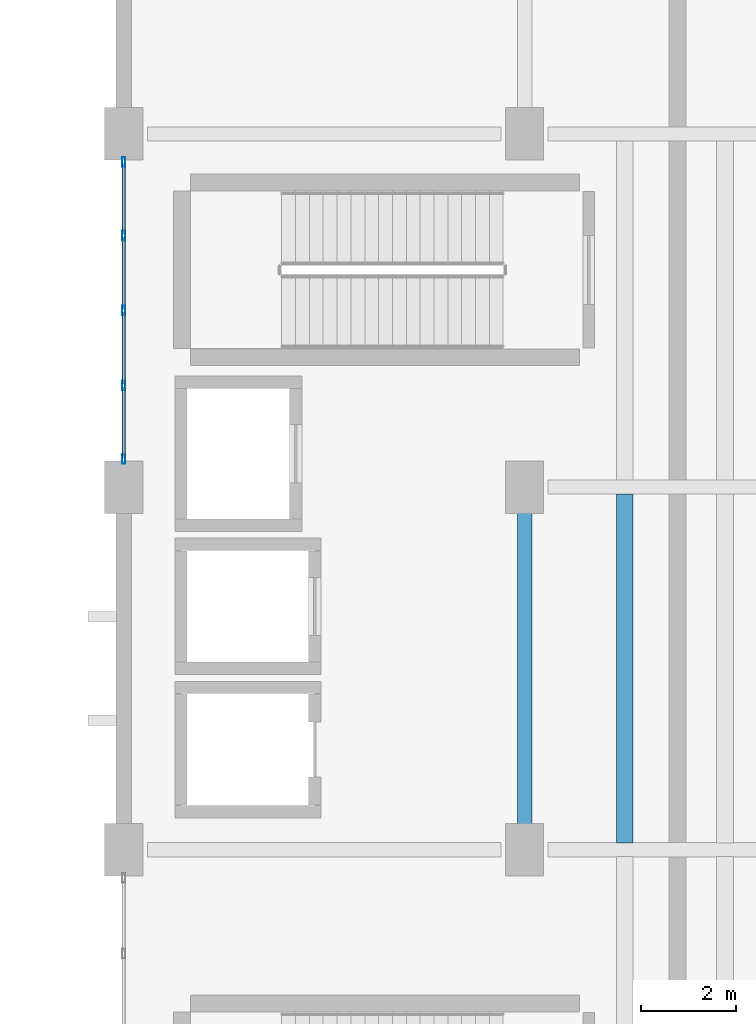
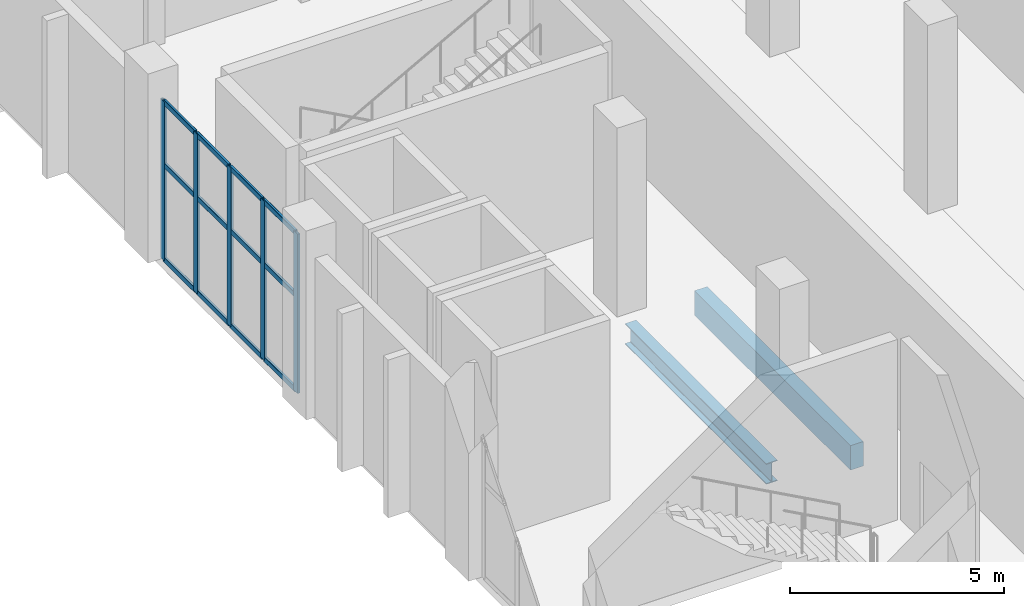
# One storey, part 43 of 95: 17 members, 2 beams, 1 element without a shape of its own.
"""IFC4 building model written with IfcOpenShell, lengths in metres."""

import ifcopenshell
import ifcopenshell.guid

model = None  # the IFC model being written
_history = None  # IfcOwnerHistory: only IFC2X3 demands one
_inside = {}  # id of a spatial element -> (the spatial element, [elements in it])
_under = {}  # id of a project, library or spatial element -> (it, [spatial elements below it])
_declared = {}  # id of a project -> (the project, [libraries it declares])
_typed = {}  # id of a type object -> (the type object, [elements of that type])
_made_of = {}  # id of a material, layer set ... -> (it, [elements and type objects made of it])


def new_model(schema):
    """Start an empty IFC model of exactly this schema.

    Asked for "IFC4X3", IfcOpenShell would pick the latest addendum, in which some entities
    have other attributes; the version numbers below select the first issue.
    IFC2X3 requires an IfcOwnerHistory on every rooted entity: one is made here for all.
    """
    global model, _history
    if schema == "IFC4X3":
        model = ifcopenshell.file(schema_version=(4, 3, 0, 0))
    else:
        model = ifcopenshell.file(schema=schema)
    _inside.clear()
    _under.clear()
    _declared.clear()
    _typed.clear()
    _made_of.clear()
    _history = None
    if model.schema == "IFC2X3":
        org = make("IfcOrganization", Name="unknown")
        user = make(
            "IfcPersonAndOrganization",
            ThePerson=make("IfcPerson", FamilyName="unknown"),
            TheOrganization=org,
        )
        app = make(
            "IfcApplication",
            ApplicationDeveloper=org,
            Version="unknown",
            ApplicationFullName="unknown",
            ApplicationIdentifier="unknown",
        )
        _history = make(
            "IfcOwnerHistory",
            OwningUser=user,
            OwningApplication=app,
            ChangeAction="ADDED",
            CreationDate=0,
        )
    return model


def make(cls, **values):
    """One entity of the class cls with the attributes given. An attribute that is None is left unset."""
    return model.create_entity(
        cls, **{name: value for name, value in values.items() if value is not None}
    )


def rooted(cls, **values):
    """An entity with a GlobalId (a new one), such as an element, a storey or a relation."""
    return make(cls, GlobalId=ifcopenshell.guid.new(), OwnerHistory=_history, **values)


def si_unit(unit_type, name, prefix=None):
    """IfcSIUnit, for example si_unit("LENGTHUNIT", "METRE", prefix="MILLI")."""
    return make("IfcSIUnit", UnitType=unit_type, Prefix=prefix, Name=name)


def assignment(units):
    """IfcUnitAssignment: the units of a project."""
    return None if units is None else make("IfcUnitAssignment", Units=units)


def point(xyz):
    """IfcCartesianPoint."""
    return None if xyz is None else make("IfcCartesianPoint", Coordinates=xyz)


def direction(xyz):
    """IfcDirection."""
    return None if xyz is None else make("IfcDirection", DirectionRatios=xyz)


def frame(location, z_axis=None, x_axis=None):
    """IfcAxis2Placement3D, a coordinate frame: its origin and axes. An axis left out is left unset."""
    return make(
        "IfcAxis2Placement3D",
        Location=point(location),
        Axis=direction(z_axis),
        RefDirection=direction(x_axis),
    )


def frame_2d(location, x_axis=None):
    """IfcAxis2Placement2D, a coordinate frame in the plane: its origin and x axis."""
    return make(
        "IfcAxis2Placement2D", Location=point(location), RefDirection=direction(x_axis)
    )


def origin():
    """The frame at (0, 0, 0) with its axes left unset."""
    return frame((0.0, 0.0, 0.0))


def origin_2d():
    """The frame at (0, 0) in the plane with its x axis left unset."""
    return frame_2d((0.0, 0.0))


def place(relative_to, where):
    """IfcLocalPlacement: puts the frame where relative to a parent placement (None: the world)."""
    return make(
        "IfcLocalPlacement", PlacementRelTo=relative_to, RelativePlacement=where
    )


def context(
    kind, dimensions, precision=None, world=None, true_north=None, identifier=None
):
    """IfcGeometricRepresentationContext, for example the 3D "Model" context."""
    return make(
        "IfcGeometricRepresentationContext",
        ContextIdentifier=identifier,
        ContextType=kind,
        CoordinateSpaceDimension=dimensions,
        Precision=precision,
        WorldCoordinateSystem=world,
        TrueNorth=true_north,
    )


def subcontext(parent, identifier, kind, view, scale=None):
    """IfcGeometricRepresentationSubContext, for example "Body" below "Model"."""
    return make(
        "IfcGeometricRepresentationSubContext",
        ContextIdentifier=identifier,
        ContextType=kind,
        ParentContext=parent,
        TargetScale=scale,
        TargetView=view,
    )


def project(units=None, contexts=None):
    """IfcProject with its units and contexts."""
    return rooted(
        "IfcProject",
        Name="project",
        RepresentationContexts=contexts,
        UnitsInContext=assignment(units),
    )


def spatial(cls, under=None, at=None, **own):
    """A site, building, storey or space (cls), placed at a placement, below another one or the project."""
    s = rooted(cls, ObjectPlacement=at, **own)
    if under is not None:
        _under.setdefault(under.id(), (under, []))[1].append(s)
    return s


def profile(cls, at=None, kind="AREA", **sizes):
    """A parametric profile (cls). Its sizes go by their IFC names, for example OverallWidth=200.0."""
    return make(cls, ProfileType=kind, Position=at, **sizes)


def rectangle(**sizes):
    """IfcRectangleProfileDef."""
    return profile("IfcRectangleProfileDef", **sizes)


def hollow_rectangle(**sizes):
    """IfcRectangleHollowProfileDef."""
    return profile("IfcRectangleHollowProfileDef", **sizes)


def i_section(**sizes):
    """IfcIShapeProfileDef."""
    return profile("IfcIShapeProfileDef", **sizes)


def extrude(swept, where, along, depth):
    """IfcExtrudedAreaSolid: the profile swept, set in the frame where, extruded along a direction by depth."""
    return make(
        "IfcExtrudedAreaSolid",
        SweptArea=swept,
        Position=where,
        ExtrudedDirection=direction(along),
        Depth=depth,
    )


def shape(context_of_items, identifier, shape_type, items):
    """IfcShapeRepresentation: the items that make up one representation, for example the "Body"."""
    return make(
        "IfcShapeRepresentation",
        ContextOfItems=context_of_items,
        RepresentationIdentifier=identifier,
        RepresentationType=shape_type,
        Items=items,
    )


def material(Name=None, Category=None):
    """IfcMaterial."""
    return make("IfcMaterial", Name=Name, Category=Category)


def material_profile(
    of_material, cross_section, Name=None, Category=None, Priority=None
):
    """IfcMaterialProfile: a cross section and its material."""
    return make(
        "IfcMaterialProfile",
        Name=Name,
        Material=of_material,
        Profile=cross_section,
        Priority=Priority,
        Category=Category,
    )


def profile_set(profiles, Name=None, composite=None):
    """IfcMaterialProfileSet."""
    return make(
        "IfcMaterialProfileSet",
        Name=Name,
        MaterialProfiles=profiles,
        CompositeProfile=composite,
    )


def made_of(thing, what):
    """Note that an element or type object is made of a material, layer set ...; save() writes the relation."""
    if what is not None:
        _made_of.setdefault(what.id(), (what, []))[1].append(thing)
    return thing


def type_object(cls, material=None, **own):
    """A type object (cls), such as IfcWallType, which elements share."""
    return made_of(rooted(cls, **own), material)


def element(
    cls,
    number,
    at=None,
    inside=None,
    cuts=None,
    type_object=None,
    material=None,
    context=None,
    identifier="Body",
    shape_type=None,
    held_by="IfcProductDefinitionShape",
    body=None,
    shapes=None,
    **own,
):
    """One element of the class cls, such as IfcWall. Its Tag is "e" and its number.

    at: its placement. inside: the storey or other place that contains it. cuts: it is an
    opening in that element (IfcRelVoidsElement). A single representation is given by context,
    identifier, shape_type and body (its items); several are given by shapes. held_by: the class
    of the entity that holds the representations. save() writes the other relations.
    """
    e = rooted(cls, Tag="e%d" % number, ObjectPlacement=at, **own)
    if body is not None:
        shapes = [shape(context, identifier, shape_type, body)]
    if shapes is not None:
        e.Representation = make(held_by, Representations=shapes)
    if inside is not None:
        _inside.setdefault(inside.id(), (inside, []))[1].append(e)
    if cuts is not None:
        rooted(
            "IfcRelVoidsElement", RelatingBuildingElement=cuts, RelatedOpeningElement=e
        )
    if type_object is not None:
        _typed.setdefault(type_object.id(), (type_object, []))[1].append(e)
    return made_of(e, material)


def aggregate(whole, parts):
    """IfcRelAggregates: a whole, such as a stair, and the parts it consists of."""
    return rooted("IfcRelAggregates", RelatingObject=whole, RelatedObjects=parts)


def save(model, path):
    """Write the relations noted so far, then the file.

    IfcRelAggregates (storeys below a building ...), IfcRelContainedInSpatialStructure (elements
    in a storey), IfcRelDefinesByType, IfcRelAssociatesMaterial and IfcRelDeclares: one each for
    every whole, place, type object, material and project.
    """
    for whole, parts in _under.values():
        aggregate(whole, parts)
    for where, things in _inside.values():
        rooted(
            "IfcRelContainedInSpatialStructure",
            RelatedElements=things,
            RelatingStructure=where,
        )
    for kind, things in _typed.values():
        rooted("IfcRelDefinesByType", RelatedObjects=things, RelatingType=kind)
    for what, things in _made_of.values():
        rooted("IfcRelAssociatesMaterial", RelatedObjects=things, RelatingMaterial=what)
    for by, libraries in _declared.values():
        rooted("IfcRelDeclares", RelatingContext=by, RelatedDefinitions=libraries)
    model.write(path)


model = new_model("IFC4")

# Units and contexts
model_context = context("Model", 3, precision=1e-05, world=origin(), true_north=direction((0.0, 1.0)))
body_context = subcontext(model_context, "Body", "Model", "MODEL_VIEW")
ifc_project = project(units=[si_unit("LENGTHUNIT", "METRE"), si_unit("AREAUNIT", "SQUARE_METRE"), si_unit("VOLUMEUNIT", "CUBIC_METRE"), si_unit("PLANEANGLEUNIT", "RADIAN"), si_unit("MASSUNIT", "GRAM", prefix="KILO")], contexts=[model_context])

# Site, building, storey
site_placement = place(None, origin())
site = spatial("IfcSite", under=ifc_project, at=site_placement, CompositionType="ELEMENT")
building_placement = place(site_placement, origin())
building = spatial("IfcBuilding", under=site, at=building_placement, Name="Shengluoqiao Park Theatre", CompositionType="ELEMENT")
storey_placement = place(building_placement, origin())
storey = spatial("IfcBuildingStorey", under=building, at=storey_placement, Name="L00", CompositionType="ELEMENT", Elevation=0.0)

# Curtain wall, members
ifc_material_1 = material(Name="Aluminium 6063-T6", Category="aluminium")
curtain_wall_type = type_object("IfcCurtainWallType", Name="ENV-CW-CLERE", PredefinedType="NOTDEFINED", material=ifc_material_1)
curtain_wall_placement = place(storey_placement, origin())
curtain_wall = element("IfcCurtainWall", 1, at=curtain_wall_placement, inside=storey, type_object=curtain_wall_type, Name="L00 Curtain Wall CW-L00-0002", PredefinedType="NOTDEFINED")
ifc_material_profile_1 = material_profile(ifc_material_1, hollow_rectangle(XDim=0.06494140625, YDim=0.199951171875, WallThickness=0.0048828125, InnerFilletRadius=0.0048828125, OuterFilletRadius=0.010009765625, at=origin_2d()), Name="ALU MULLION 200x65x5")
ifc_profile_set_1 = profile_set([ifc_material_profile_1], Name="Aluminium 6063-T6")
member_type_1 = type_object("IfcMemberType", Name="ENV-MUL-200", PredefinedType="MULLION", material=ifc_profile_set_1)
member_1_placement = place(storey_placement, frame((44.39990234375, 99.78662109375, 0.0), z_axis=(0.0, 0.0, 1.0), x_axis=(-1.0, 0.0, 0.0)))
member_1 = element("IfcMember", 2, at=member_1_placement, type_object=member_type_1, Name="CW-06 mullion 1", PredefinedType="MULLION", context=body_context, shape_type="SweptSolid", body=[
    extrude(hollow_rectangle(XDim=0.06494140625, YDim=0.199951171875, WallThickness=0.0048828125, InnerFilletRadius=0.0048828125, OuterFilletRadius=0.010009765625, at=origin_2d()), origin(), (0.0, 0.0, 1.0), 4.550048828125),
])
member_2_placement = place(storey_placement, frame((44.39990234375, 101.326904296875, 0.0), z_axis=(0.0, 0.0, 1.0), x_axis=(-1.0, 0.0, 0.0)))
member_2 = element("IfcMember", 3, at=member_2_placement, type_object=member_type_1, Name="CW-06 mullion 2", PredefinedType="MULLION", context=body_context, shape_type="SweptSolid", body=[
    extrude(hollow_rectangle(XDim=0.06494140625, YDim=0.199951171875, WallThickness=0.0048828125, InnerFilletRadius=0.0048828125, OuterFilletRadius=0.010009765625, at=origin_2d()), origin(), (0.0, 0.0, 1.0), 4.550048828125),
])
member_3_placement = place(storey_placement, frame((44.39990234375, 102.89990234375, 0.0), z_axis=(0.0, 0.0, 1.0), x_axis=(-1.0, 0.0, 0.0)))
member_3 = element("IfcMember", 4, at=member_3_placement, type_object=member_type_1, Name="CW-06 mullion 3", PredefinedType="MULLION", context=body_context, shape_type="SweptSolid", body=[
    extrude(hollow_rectangle(XDim=0.06494140625, YDim=0.199951171875, WallThickness=0.0048828125, InnerFilletRadius=0.0048828125, OuterFilletRadius=0.010009765625, at=origin_2d()), origin(), (0.0, 0.0, 1.0), 4.550048828125),
])
member_4_placement = place(storey_placement, frame((44.39990234375, 104.472900390625, 0.0), z_axis=(0.0, 0.0, 1.0), x_axis=(-1.0, 0.0, 0.0)))
member_4 = element("IfcMember", 5, at=member_4_placement, type_object=member_type_1, Name="CW-06 mullion 4", PredefinedType="MULLION", context=body_context, shape_type="SweptSolid", body=[
    extrude(hollow_rectangle(XDim=0.06494140625, YDim=0.199951171875, WallThickness=0.0048828125, InnerFilletRadius=0.0048828125, OuterFilletRadius=0.010009765625, at=origin_2d()), origin(), (0.0, 0.0, 1.0), 4.550048828125),
])
member_5_placement = place(storey_placement, frame((44.39990234375, 106.013427734375, 0.0), z_axis=(0.0, 0.0, 1.0), x_axis=(-1.0, 0.0, 0.0)))
member_5 = element("IfcMember", 6, at=member_5_placement, type_object=member_type_1, Name="CW-06 mullion 5", PredefinedType="MULLION", context=body_context, shape_type="SweptSolid", body=[
    extrude(hollow_rectangle(XDim=0.06494140625, YDim=0.199951171875, WallThickness=0.0048828125, InnerFilletRadius=0.0048828125, OuterFilletRadius=0.010009765625, at=origin_2d()), origin(), (0.0, 0.0, 1.0), 4.550048828125),
])
ifc_material_profile_2 = material_profile(ifc_material_1, hollow_rectangle(XDim=0.06494140625, YDim=0.14990234375, WallThickness=0.00390625, InnerFilletRadius=0.00390625, OuterFilletRadius=0.008056640625, at=origin_2d()), Name="ALU TRANSOM 150x65x4")
ifc_profile_set_2 = profile_set([ifc_material_profile_2], Name="Aluminium 6063-T6")
member_type_2 = type_object("IfcMemberType", Name="ENV-TRN-150", PredefinedType="USERDEFINED", material=ifc_profile_set_2)
member_6_placement = place(storey_placement, frame((44.39990234375, 99.819091796875, 0.032470703125), z_axis=(0.0, 1.0, 0.0), x_axis=(-1.0, 0.0, 0.0)))
member_6 = element("IfcMember", 7, at=member_6_placement, type_object=member_type_2, Name="CW-06 transom 1.1", ObjectType="TRANSOM", PredefinedType="USERDEFINED", context=body_context, shape_type="SweptSolid", body=[
    extrude(hollow_rectangle(XDim=0.06494140625, YDim=0.14990234375, WallThickness=0.00390625, InnerFilletRadius=0.00390625, OuterFilletRadius=0.008056640625, at=origin_2d()), origin(), (0.0, 0.0, 1.0), 1.475341796875),
])
member_7_placement = place(storey_placement, frame((44.39990234375, 99.819091796875, 2.72998046875), z_axis=(0.0, 1.0, 0.0), x_axis=(-1.0, 0.0, 0.0)))
member_7 = element("IfcMember", 8, at=member_7_placement, type_object=member_type_2, Name="CW-06 transom 1.2", ObjectType="TRANSOM", PredefinedType="USERDEFINED", context=body_context, shape_type="SweptSolid", body=[
    extrude(hollow_rectangle(XDim=0.06494140625, YDim=0.14990234375, WallThickness=0.00390625, InnerFilletRadius=0.00390625, OuterFilletRadius=0.008056640625, at=origin_2d()), origin(), (0.0, 0.0, 1.0), 1.475341796875),
])
member_8_placement = place(storey_placement, frame((44.39990234375, 99.819091796875, 4.517578125), z_axis=(0.0, 1.0, 0.0), x_axis=(-1.0, 0.0, 0.0)))
member_8 = element("IfcMember", 9, at=member_8_placement, type_object=member_type_2, Name="CW-06 transom 1.3", ObjectType="TRANSOM", PredefinedType="USERDEFINED", context=body_context, shape_type="SweptSolid", body=[
    extrude(hollow_rectangle(XDim=0.06494140625, YDim=0.14990234375, WallThickness=0.00390625, InnerFilletRadius=0.00390625, OuterFilletRadius=0.008056640625, at=origin_2d()), origin(), (0.0, 0.0, 1.0), 1.475341796875),
])
member_9_placement = place(storey_placement, frame((44.39990234375, 101.359619140625, 0.032470703125), z_axis=(0.0, 1.0, 0.0), x_axis=(-1.0, 0.0, 0.0)))
member_9 = element("IfcMember", 10, at=member_9_placement, type_object=member_type_2, Name="CW-06 transom 2.1", ObjectType="TRANSOM", PredefinedType="USERDEFINED", context=body_context, shape_type="SweptSolid", body=[
    extrude(hollow_rectangle(XDim=0.06494140625, YDim=0.14990234375, WallThickness=0.00390625, InnerFilletRadius=0.00390625, OuterFilletRadius=0.008056640625, at=origin_2d()), origin(), (0.0, 0.0, 1.0), 1.5078125),
])
member_10_placement = place(storey_placement, frame((44.39990234375, 101.359619140625, 2.72998046875), z_axis=(0.0, 1.0, 0.0), x_axis=(-1.0, 0.0, 0.0)))
member_10 = element("IfcMember", 11, at=member_10_placement, type_object=member_type_2, Name="CW-06 transom 2.2", ObjectType="TRANSOM", PredefinedType="USERDEFINED", context=body_context, shape_type="SweptSolid", body=[
    extrude(hollow_rectangle(XDim=0.06494140625, YDim=0.14990234375, WallThickness=0.00390625, InnerFilletRadius=0.00390625, OuterFilletRadius=0.008056640625, at=origin_2d()), origin(), (0.0, 0.0, 1.0), 1.5078125),
])
member_11_placement = place(storey_placement, frame((44.39990234375, 101.359619140625, 4.517578125), z_axis=(0.0, 1.0, 0.0), x_axis=(-1.0, 0.0, 0.0)))
member_11 = element("IfcMember", 12, at=member_11_placement, type_object=member_type_2, Name="CW-06 transom 2.3", ObjectType="TRANSOM", PredefinedType="USERDEFINED", context=body_context, shape_type="SweptSolid", body=[
    extrude(hollow_rectangle(XDim=0.06494140625, YDim=0.14990234375, WallThickness=0.00390625, InnerFilletRadius=0.00390625, OuterFilletRadius=0.008056640625, at=origin_2d()), origin(), (0.0, 0.0, 1.0), 1.5078125),
])
member_12_placement = place(storey_placement, frame((44.39990234375, 102.9326171875, 0.032470703125), z_axis=(0.0, 1.0, 0.0), x_axis=(-1.0, 0.0, 0.0)))
member_12 = element("IfcMember", 13, at=member_12_placement, type_object=member_type_2, Name="CW-06 transom 3.1", ObjectType="TRANSOM", PredefinedType="USERDEFINED", context=body_context, shape_type="SweptSolid", body=[
    extrude(hollow_rectangle(XDim=0.06494140625, YDim=0.14990234375, WallThickness=0.00390625, InnerFilletRadius=0.00390625, OuterFilletRadius=0.008056640625, at=origin_2d()), origin(), (0.0, 0.0, 1.0), 1.5078125),
])
member_13_placement = place(storey_placement, frame((44.39990234375, 102.9326171875, 2.72998046875), z_axis=(0.0, 1.0, 0.0), x_axis=(-1.0, 0.0, 0.0)))
member_13 = element("IfcMember", 14, at=member_13_placement, type_object=member_type_2, Name="CW-06 transom 3.2", ObjectType="TRANSOM", PredefinedType="USERDEFINED", context=body_context, shape_type="SweptSolid", body=[
    extrude(hollow_rectangle(XDim=0.06494140625, YDim=0.14990234375, WallThickness=0.00390625, InnerFilletRadius=0.00390625, OuterFilletRadius=0.008056640625, at=origin_2d()), origin(), (0.0, 0.0, 1.0), 1.5078125),
])
member_14_placement = place(storey_placement, frame((44.39990234375, 102.9326171875, 4.517578125), z_axis=(0.0, 1.0, 0.0), x_axis=(-1.0, 0.0, 0.0)))
member_14 = element("IfcMember", 15, at=member_14_placement, type_object=member_type_2, Name="CW-06 transom 3.3", ObjectType="TRANSOM", PredefinedType="USERDEFINED", context=body_context, shape_type="SweptSolid", body=[
    extrude(hollow_rectangle(XDim=0.06494140625, YDim=0.14990234375, WallThickness=0.00390625, InnerFilletRadius=0.00390625, OuterFilletRadius=0.008056640625, at=origin_2d()), origin(), (0.0, 0.0, 1.0), 1.5078125),
])
member_15_placement = place(storey_placement, frame((44.39990234375, 104.505615234375, 0.032470703125), z_axis=(0.0, 1.0, 0.0), x_axis=(-1.0, 0.0, 0.0)))
member_15 = element("IfcMember", 16, at=member_15_placement, type_object=member_type_2, Name="CW-06 transom 4.1", ObjectType="TRANSOM", PredefinedType="USERDEFINED", context=body_context, shape_type="SweptSolid", body=[
    extrude(hollow_rectangle(XDim=0.06494140625, YDim=0.14990234375, WallThickness=0.00390625, InnerFilletRadius=0.00390625, OuterFilletRadius=0.008056640625, at=origin_2d()), origin(), (0.0, 0.0, 1.0), 1.475341796875),
])
member_16_placement = place(storey_placement, frame((44.39990234375, 104.505615234375, 2.72998046875), z_axis=(0.0, 1.0, 0.0), x_axis=(-1.0, 0.0, 0.0)))
member_16 = element("IfcMember", 17, at=member_16_placement, type_object=member_type_2, Name="CW-06 transom 4.2", ObjectType="TRANSOM", PredefinedType="USERDEFINED", context=body_context, shape_type="SweptSolid", body=[
    extrude(hollow_rectangle(XDim=0.06494140625, YDim=0.14990234375, WallThickness=0.00390625, InnerFilletRadius=0.00390625, OuterFilletRadius=0.008056640625, at=origin_2d()), origin(), (0.0, 0.0, 1.0), 1.475341796875),
])
member_17_placement = place(storey_placement, frame((44.39990234375, 104.505615234375, 4.517578125), z_axis=(0.0, 1.0, 0.0), x_axis=(-1.0, 0.0, 0.0)))
member_17 = element("IfcMember", 18, at=member_17_placement, type_object=member_type_2, Name="CW-06 transom 4.3", ObjectType="TRANSOM", PredefinedType="USERDEFINED", context=body_context, shape_type="SweptSolid", body=[
    extrude(hollow_rectangle(XDim=0.06494140625, YDim=0.14990234375, WallThickness=0.00390625, InnerFilletRadius=0.00390625, OuterFilletRadius=0.008056640625, at=origin_2d()), origin(), (0.0, 0.0, 1.0), 1.475341796875),
])
aggregate(curtain_wall, [member_1, member_2, member_3, member_4, member_5, member_6, member_7, member_8, member_9, member_10, member_11, member_12, member_13, member_14, member_15, member_16, member_17])

# Beams
ifc_material_2 = material(Name="Concrete C40", Category="concrete")
ifc_material_profile_3 = material_profile(ifc_material_2, rectangle(XDim=0.35009765625, YDim=0.699951171875, at=origin_2d()), Name="RC BEAM 350x700")
ifc_profile_set_3 = profile_set([ifc_material_profile_3], Name="Concrete C40")
beam_type_1 = type_object("IfcBeamType", Name="STR-BM-B-RC3570", PredefinedType="BEAM", material=ifc_profile_set_3)
beam_1_placement = place(storey_placement, frame((54.89990234375, 91.7451171875, -0.64990234375), z_axis=(0.0, 1.0, 0.0), x_axis=(-1.0, 0.0, 0.0)))
element("IfcBeam", 19, at=beam_1_placement, inside=storey, type_object=beam_type_1, Name="L00 Composite Joist 00097", PredefinedType="JOIST", context=body_context, shape_type="SweptSolid", body=[
    extrude(rectangle(XDim=0.35009765625, YDim=0.699951171875, at=origin_2d()), origin(), (0.0, 0.0, 1.0), 7.309814453125),
])
ifc_material_3 = material(Name="Steel Q355", Category="steel")
ifc_material_profile_4 = material_profile(ifc_material_3, i_section(OverallWidth=0.300048828125, OverallDepth=0.587890625, WebThickness=0.011962890625, FlangeThickness=0.02001953125, FilletRadius=0.02392578125, at=origin_2d()), Name="HM 588x300x12x20")
ifc_profile_set_4 = profile_set([ifc_material_profile_4], Name="Steel Q355")
beam_type_2 = type_object("IfcBeamType", Name="STR-BM-G-HM588", PredefinedType="BEAM", material=ifc_profile_set_4)
beam_2_placement = place(storey_placement, frame((52.800048828125, 92.093994140625, -0.593994140625), z_axis=(0.0, 1.0, 0.0), x_axis=(-1.0, 0.0, 0.0)))
element("IfcBeam", 20, at=beam_2_placement, inside=storey, type_object=beam_type_2, Name="L00 Transverse Girder 00087", PredefinedType="BEAM", context=body_context, shape_type="SweptSolid", body=[
    extrude(i_section(OverallWidth=0.300048828125, OverallDepth=0.587890625, WebThickness=0.011962890625, FlangeThickness=0.02001953125, FilletRadius=0.02392578125, at=origin_2d()), origin(), (0.0, 0.0, 1.0), 6.612060546875),
])

save(model, "model.ifc")
